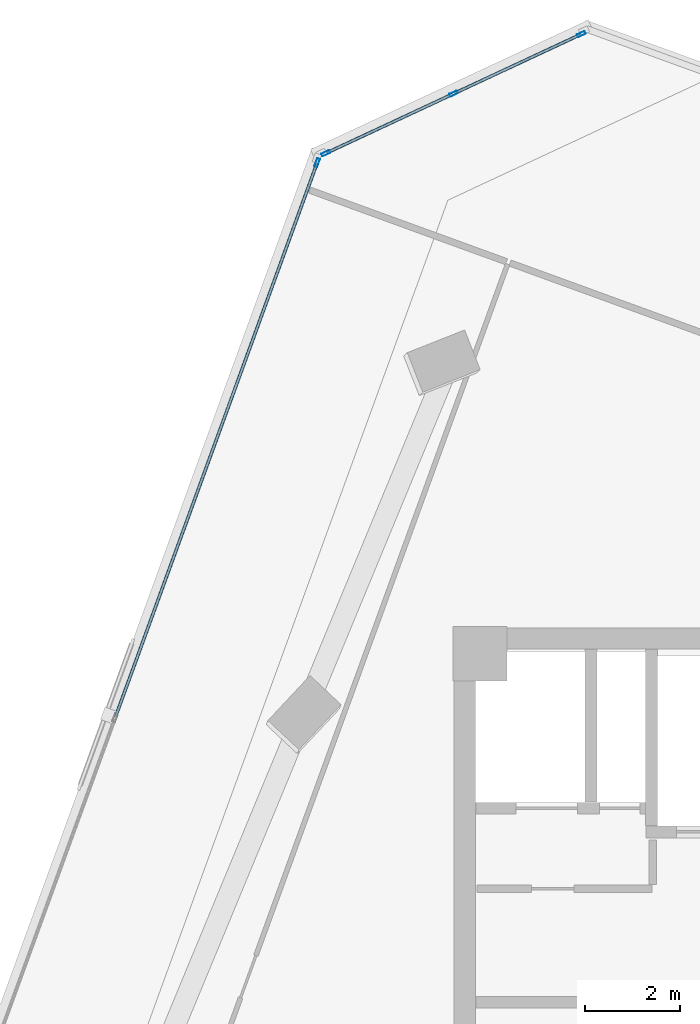
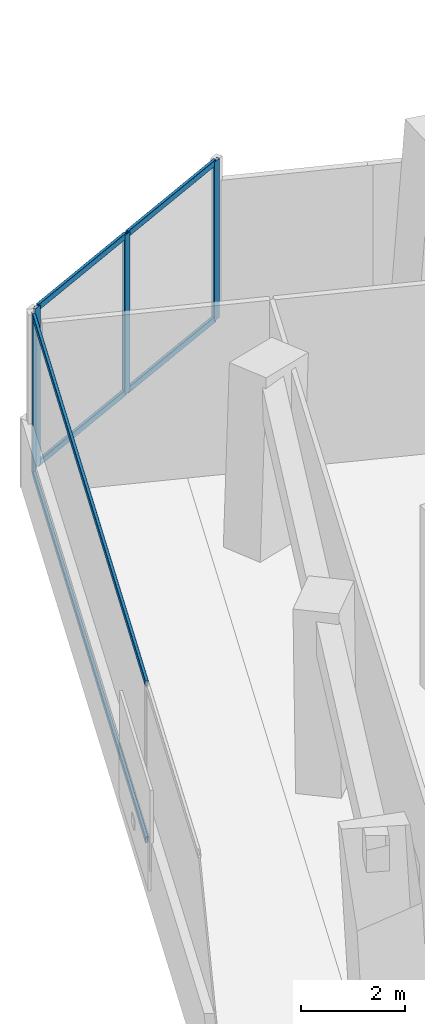
# One storey, part 12 of 21: 10 members, 2 elements without a shape of their own.
"""IFC4 building model written with IfcOpenShell, lengths in metres."""

from ifc_helpers import new_model, si_unit, direction, frame, origin, origin_2d, place, context, subcontext, project, spatial, hollow_rectangle, extrude, source, transform, mapped, material, material_profile, profile_set, type_object, element, aggregate, save


model = new_model("IFC4")

# Units and contexts
model_context = context("Model", 3, precision=1e-05, world=origin(), true_north=direction((0.0, 1.0)))
body_context = subcontext(model_context, "Body", "Model", "MODEL_VIEW")
ifc_project = project(units=[si_unit("LENGTHUNIT", "METRE"), si_unit("AREAUNIT", "SQUARE_METRE"), si_unit("VOLUMEUNIT", "CUBIC_METRE"), si_unit("PLANEANGLEUNIT", "RADIAN"), si_unit("MASSUNIT", "GRAM", prefix="KILO")], contexts=[model_context])

# Site, building, storey
site_placement = place(None, origin())
site = spatial("IfcSite", under=ifc_project, at=site_placement, CompositionType="ELEMENT")
building_placement = place(site_placement, origin())
building = spatial("IfcBuilding", under=site, at=building_placement, Name="Torre Montelarca", CompositionType="ELEMENT")
storey_placement = place(building_placement, frame((0.0, 0.0, 137.199951171875)))
storey = spatial("IfcBuildingStorey", under=building, at=storey_placement, Name="L30", CompositionType="ELEMENT", Elevation=137.199951171875)

# Curtain wall, members
ifc_material_1 = material(Name="Insulated low-E laminated glass", Category="glass")
curtain_wall_type = type_object("IfcCurtainWallType", Name="CW-SYS-Z2", PredefinedType="USERDEFINED", material=ifc_material_1)
curtain_wall_1_placement = place(storey_placement, origin())
curtain_wall_1 = element("IfcCurtainWall", 1, at=curtain_wall_1_placement, inside=storey, type_object=curtain_wall_type, Name="L30 Curtain Wall Run CW-T3-L30-E09-B1", ObjectType="UNITISED GLAZING", PredefinedType="USERDEFINED")
ifc_material_2 = material(Name="Anodised aluminium AA 6063-T6", Category="aluminium")
ifc_material_profile_1 = material_profile(ifc_material_2, hollow_rectangle(XDim=0.06494140625, YDim=0.139892578125, WallThickness=0.00390625, InnerFilletRadius=0.00390625, OuterFilletRadius=0.008056640625, at=origin_2d()), Name="ALU65X140X4", Category="aluminium")
ifc_profile_set_1 = profile_set([ifc_material_profile_1], Name="Anodised aluminium AA 6063-T6")
member_type_1 = type_object("IfcMemberType", Name="CWT-ALU140", PredefinedType="USERDEFINED", material=ifc_profile_set_1)
shared_shape_1 = source(origin(), body_context, "Body", "SweptSolid", [
    extrude(hollow_rectangle(XDim=0.06494140625, YDim=0.139892578125, WallThickness=0.00390625, InnerFilletRadius=0.00390625, OuterFilletRadius=0.008056640625, at=origin_2d()), origin(), (0.0, 0.0, 1.0), 2.91845703125),
])
member_1_placement = place(storey_placement, frame((11.663330078125, 52.54833984375, 0.032470703125), z_axis=(-0.906307055482, -0.422619830561, 0.0), x_axis=(0.422619830561, -0.906307055482, 0.0)))
member_1 = element("IfcMember", 2, at=member_1_placement, type_object=member_type_1, Name="CW transom 1.1", ObjectType="TRANSOM", PredefinedType="USERDEFINED", context=body_context, shape_type="MappedRepresentation", body=[
    mapped(shared_shape_1, transform((0.0, 0.0, 0.0), scale=1.0)),
])
member_2_placement = place(storey_placement, frame((11.663330078125, 52.54833984375, 3.6875), z_axis=(-0.906307055482, -0.422619830561, 0.0), x_axis=(0.422619830561, -0.906307055482, 0.0)))
member_2 = element("IfcMember", 3, at=member_2_placement, type_object=member_type_1, Name="CW transom 1.2", ObjectType="TRANSOM", PredefinedType="USERDEFINED", context=body_context, shape_type="MappedRepresentation", body=[
    mapped(shared_shape_1, transform((0.0, 0.0, 0.0), scale=1.0)),
])
member_3_placement = place(storey_placement, frame((8.959228515625, 51.287353515625, 0.032470703125), z_axis=(-0.906307055482, -0.422619830561, 0.0), x_axis=(0.422619830561, -0.906307055482, 0.0)))
member_3 = element("IfcMember", 4, at=member_3_placement, type_object=member_type_1, Name="CW transom 2.1", ObjectType="TRANSOM", PredefinedType="USERDEFINED", context=body_context, shape_type="MappedRepresentation", body=[
    mapped(shared_shape_1, transform((0.0, 0.0, 0.0), scale=1.0)),
])
member_4_placement = place(storey_placement, frame((8.959228515625, 51.287353515625, 3.6875), z_axis=(-0.906307055482, -0.422619830561, 0.0), x_axis=(0.422619830561, -0.906307055482, 0.0)))
member_4 = element("IfcMember", 5, at=member_4_placement, type_object=member_type_1, Name="CW transom 2.2", ObjectType="TRANSOM", PredefinedType="USERDEFINED", context=body_context, shape_type="MappedRepresentation", body=[
    mapped(shared_shape_1, transform((0.0, 0.0, 0.0), scale=1.0)),
])

curtain_wall_2_placement = place(storey_placement, origin())
curtain_wall_2 = element("IfcCurtainWall", 6, at=curtain_wall_2_placement, inside=storey, type_object=curtain_wall_type, Name="L30 Curtain Wall Run CW-T3-L30-E10-B1", ObjectType="UNITISED GLAZING", PredefinedType="USERDEFINED")
shared_shape_2 = source(origin(), body_context, "Body", "SweptSolid", [
    extrude(hollow_rectangle(XDim=0.06494140625, YDim=0.139892578125, WallThickness=0.00390625, InnerFilletRadius=0.00390625, OuterFilletRadius=0.008056640625, at=origin_2d()), origin(), (0.0, 0.0, 1.0), 12.4365234375),
])
member_5_placement = place(storey_placement, frame((6.09326171875, 49.812744140625, 0.032470703125), z_axis=(-0.342028339507, -0.939689637579, 0.0), x_axis=(0.939689637579, -0.342028339507, 0.0)))
member_5 = element("IfcMember", 7, at=member_5_placement, type_object=member_type_1, Name="CW transom 1.1", ObjectType="TRANSOM", PredefinedType="USERDEFINED", context=body_context, shape_type="MappedRepresentation", body=[
    mapped(shared_shape_2, transform((0.0, 0.0, 0.0), scale=1.0)),
])
member_6_placement = place(storey_placement, frame((6.09326171875, 49.812744140625, 3.6875), z_axis=(-0.342028339507, -0.939689637579, 0.0), x_axis=(0.939689637579, -0.342028339507, 0.0)))
member_6 = element("IfcMember", 8, at=member_6_placement, type_object=member_type_1, Name="CW transom 1.2", ObjectType="TRANSOM", PredefinedType="USERDEFINED", context=body_context, shape_type="MappedRepresentation", body=[
    mapped(shared_shape_2, transform((0.0, 0.0, 0.0), scale=1.0)),
])

# Member
ifc_material_profile_2 = material_profile(ifc_material_2, hollow_rectangle(XDim=0.06494140625, YDim=0.179931640625, WallThickness=0.00390625, InnerFilletRadius=0.00390625, OuterFilletRadius=0.008056640625, at=origin_2d()), Name="ALU65X180X4", Category="aluminium")
ifc_profile_set_2 = profile_set([ifc_material_profile_2], Name="Anodised aluminium AA 6063-T6")
member_type_2 = type_object("IfcMemberType", Name="CWM-ALU180", PredefinedType="MULLION", material=ifc_profile_set_2)
shared_shape_3 = source(origin(), body_context, "Body", "SweptSolid", [
    extrude(hollow_rectangle(XDim=0.06494140625, YDim=0.179931640625, WallThickness=0.00390625, InnerFilletRadius=0.00390625, OuterFilletRadius=0.008056640625, at=origin_2d()), origin(), (0.0, 0.0, 1.0), 3.719970703125),
])
member_7_placement = place(storey_placement, frame((11.69287109375, 52.56201171875, 0.0), z_axis=(0.0, 0.0, 1.0), x_axis=(0.422597755027, -0.906317349192, 0.0)))
member_7 = element("IfcMember", 9, at=member_7_placement, type_object=member_type_2, Name="CW mullion 1", PredefinedType="MULLION", context=body_context, shape_type="MappedRepresentation", body=[
    mapped(shared_shape_3, transform((0.0, 0.0, 0.0), scale=1.0)),
])

member_8_placement = place(storey_placement, frame((8.98876953125, 51.301025390625, 0.0), z_axis=(0.0, 0.0, 1.0), x_axis=(0.422597755027, -0.906317349192, 0.0)))
member_8 = element("IfcMember", 10, at=member_8_placement, type_object=member_type_2, Name="CW mullion 2", PredefinedType="MULLION", context=body_context, shape_type="MappedRepresentation", body=[
    mapped(shared_shape_3, transform((0.0, 0.0, 0.0), scale=1.0)),
])

member_9_placement = place(storey_placement, frame((6.28466796875, 50.040283203125, 0.0), z_axis=(0.0, 0.0, 1.0), x_axis=(0.422597755027, -0.906317349192, 0.0)))
member_9 = element("IfcMember", 11, at=member_9_placement, type_object=member_type_2, Name="CW mullion 3", PredefinedType="MULLION", context=body_context, shape_type="MappedRepresentation", body=[
    mapped(shared_shape_3, transform((0.0, 0.0, 0.0), scale=1.0)),
])

aggregate(curtain_wall_1, [member_7, member_8, member_9, member_1, member_2, member_3, member_4])

member_10_placement = place(storey_placement, frame((6.104248046875, 49.84326171875, 0.0), z_axis=(0.0, 0.0, 1.0), x_axis=(0.939692985234, -0.342019142012, 0.0)))
member_10 = element("IfcMember", 12, at=member_10_placement, type_object=member_type_2, Name="CW mullion 1", PredefinedType="MULLION", context=body_context, shape_type="MappedRepresentation", body=[
    mapped(shared_shape_3, transform((0.0, 0.0, 0.0), scale=1.0)),
])

aggregate(curtain_wall_2, [member_10, member_5, member_6])

save(model, "model.ifc")
